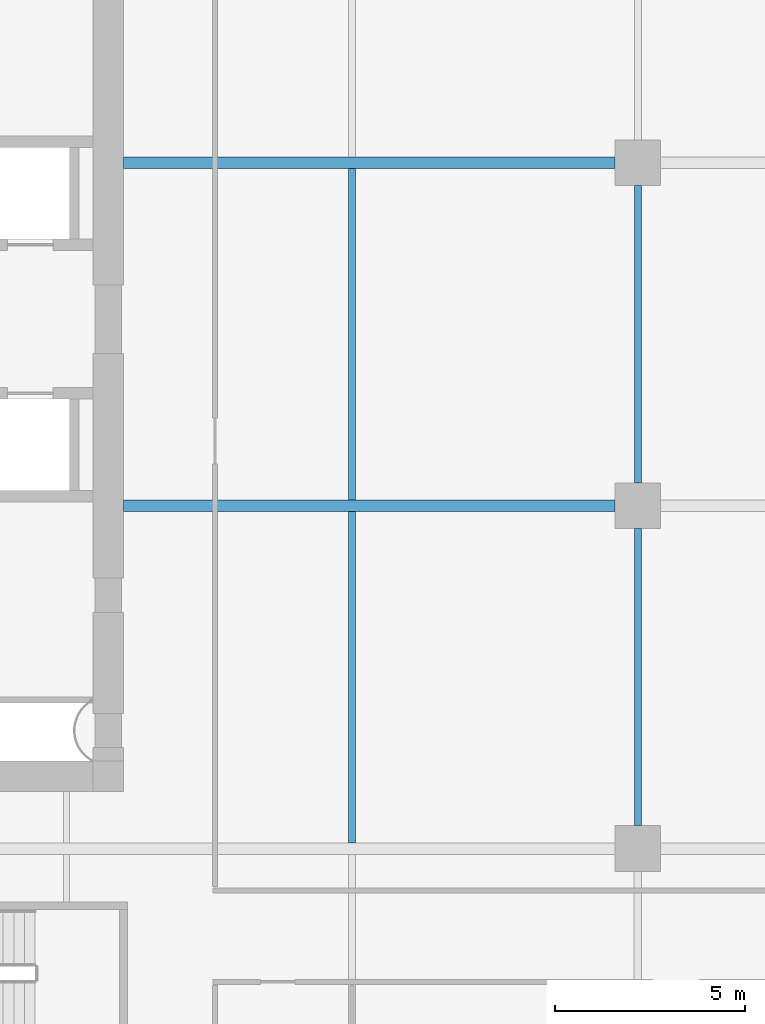
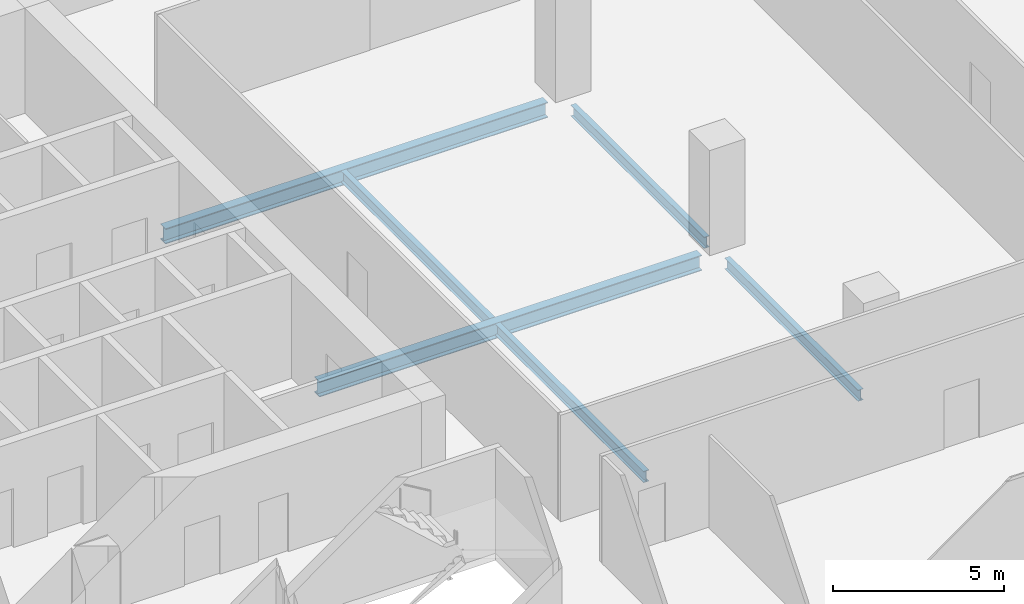
# One storey, part 9 of 38: 6 beams.
"""IFC4 building model written with IfcOpenShell, lengths in metres."""

from ifc_helpers import new_model, si_unit, direction, frame, origin, origin_2d, place, context, subcontext, project, spatial, i_section, extrude, source, transform, mapped, material, material_profile, profile_set, type_object, element, save


model = new_model("IFC4")

# Units and contexts
model_context = context("Model", 3, precision=1e-05, world=origin(), true_north=direction((0.0, 1.0)))
body_context = subcontext(model_context, "Body", "Model", "MODEL_VIEW")
ifc_project = project(units=[si_unit("LENGTHUNIT", "METRE"), si_unit("AREAUNIT", "SQUARE_METRE"), si_unit("VOLUMEUNIT", "CUBIC_METRE"), si_unit("PLANEANGLEUNIT", "RADIAN"), si_unit("MASSUNIT", "GRAM", prefix="KILO")], contexts=[model_context])

# Site, building, storey
site_placement = place(None, origin())
site = spatial("IfcSite", under=ifc_project, at=site_placement, CompositionType="ELEMENT")
building_placement = place(site_placement, origin())
building = spatial("IfcBuilding", under=site, at=building_placement, Name="Khomas Fold Tower", CompositionType="ELEMENT")
storey_placement = place(building_placement, frame((0.0, 0.0, 208.699951171875)))
storey = spatial("IfcBuildingStorey", under=building, at=storey_placement, Name="L46", CompositionType="ELEMENT", Elevation=208.699951171875)

# Beams
ifc_material_1 = material(Name="Steel S355", Category="steel")
ifc_material_profile_1 = material_profile(ifc_material_1, i_section(OverallWidth=0.179931640625, OverallDepth=0.39990234375, WebThickness=0.008544921875, FlangeThickness=0.013427734375, at=origin_2d()), Name="IPE 400")
ifc_profile_set_1 = profile_set([ifc_material_profile_1], Name="Steel S355")
beam_type_1 = type_object("IfcBeamType", Name="IPE 400 beam JB3", PredefinedType="BEAM", material=ifc_profile_set_1)
shared_shape_1 = source(origin(), body_context, "Body", "SweptSolid", [
    extrude(i_section(OverallWidth=0.179931640625, OverallDepth=0.39990234375, WebThickness=0.008544921875, FlangeThickness=0.013427734375, at=origin_2d()), origin(), (0.0, 0.0, 1.0), 8.7001953125),
])
for number, where, z_axis, x_axis, name in (
    (1, (27.0, 13.64990234375, -0.449951171875), (0.0, 1.0, 0.0), (-1.0, 0.0, 0.0), "JB3"),
    (2, (27.0, 22.64990234375, -0.449951171875), (0.0, 1.0, 0.0), (-1.0, 0.0, 0.0), "JB3"),
):
    element("IfcBeam", number, at=place(storey_placement, frame(where, z_axis=z_axis, x_axis=x_axis)), inside=storey, type_object=beam_type_1, Name=name, PredefinedType="BEAM", context=body_context, shape_type="MappedRepresentation", body=[
        mapped(shared_shape_1, transform((0.0, 0.0, 0.0))),
    ])
ifc_material_2 = material(Name="Steel S355", Category="steel")
ifc_material_profile_2 = material_profile(ifc_material_2, i_section(OverallWidth=0.300048828125, OverallDepth=0.550048828125, WebThickness=0.014892578125, FlangeThickness=0.029052734375, at=origin_2d()), Name="HE 550 B")
ifc_profile_set_2 = profile_set([ifc_material_profile_2], Name="Steel S355")
beam_type_2 = type_object("IfcBeamType", Name="HE 550 B beam GB4", PredefinedType="BEAM", material=ifc_profile_set_2)
shared_shape_2 = source(origin(), body_context, "Body", "SweptSolid", [
    extrude(i_section(OverallWidth=0.300048828125, OverallDepth=0.550048828125, WebThickness=0.014892578125, FlangeThickness=0.029052734375, at=origin_2d()), origin(), (0.0, 0.0, 1.0), 12.89990234375),
])
for number, where, z_axis, x_axis, name in (
    (3, (21.0, 22.5, -0.52490234375), (1.0, 0.0, 0.0), (0.0, 1.0, 0.0), "GB4"),
    (4, (21.0, 31.5, -0.52490234375), (1.0, 0.0, 0.0), (0.0, 1.0, 0.0), "GB4"),
):
    element("IfcBeam", number, at=place(storey_placement, frame(where, z_axis=z_axis, x_axis=x_axis)), inside=storey, type_object=beam_type_2, Name=name, PredefinedType="BEAM", context=body_context, shape_type="MappedRepresentation", body=[
        mapped(shared_shape_2, transform((0.0, 0.0, 0.0))),
    ])
shared_shape_3 = source(origin(), body_context, "Body", "SweptSolid", [
    extrude(i_section(OverallWidth=0.179931640625, OverallDepth=0.39990234375, WebThickness=0.008544921875, FlangeThickness=0.013427734375, at=origin_2d()), origin(), (0.0, 0.0, 1.0), 7.7998046875),
])
for number, where, z_axis, x_axis, name in (
    (5, (34.5, 14.10009765625, -0.449951171875), (0.0, 1.0, 0.0), (-1.0, 0.0, 0.0), "JB3"),
    (6, (34.5, 23.10009765625, -0.449951171875), (0.0, 1.0, 0.0), (-1.0, 0.0, 0.0), "JB3"),
):
    element("IfcBeam", number, at=place(storey_placement, frame(where, z_axis=z_axis, x_axis=x_axis)), inside=storey, type_object=beam_type_1, Name=name, PredefinedType="BEAM", context=body_context, shape_type="MappedRepresentation", body=[
        mapped(shared_shape_3, transform((0.0, 0.0, 0.0))),
    ])

save(model, "model.ifc")
